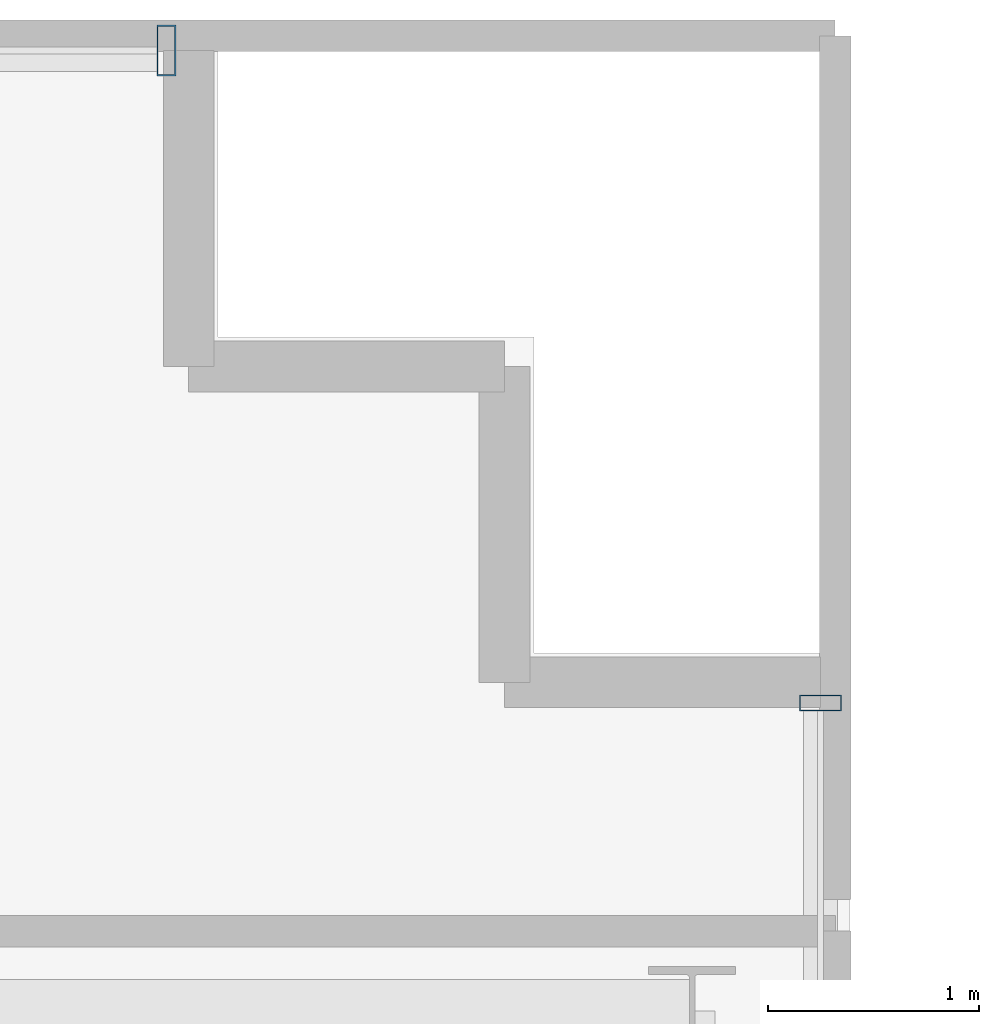
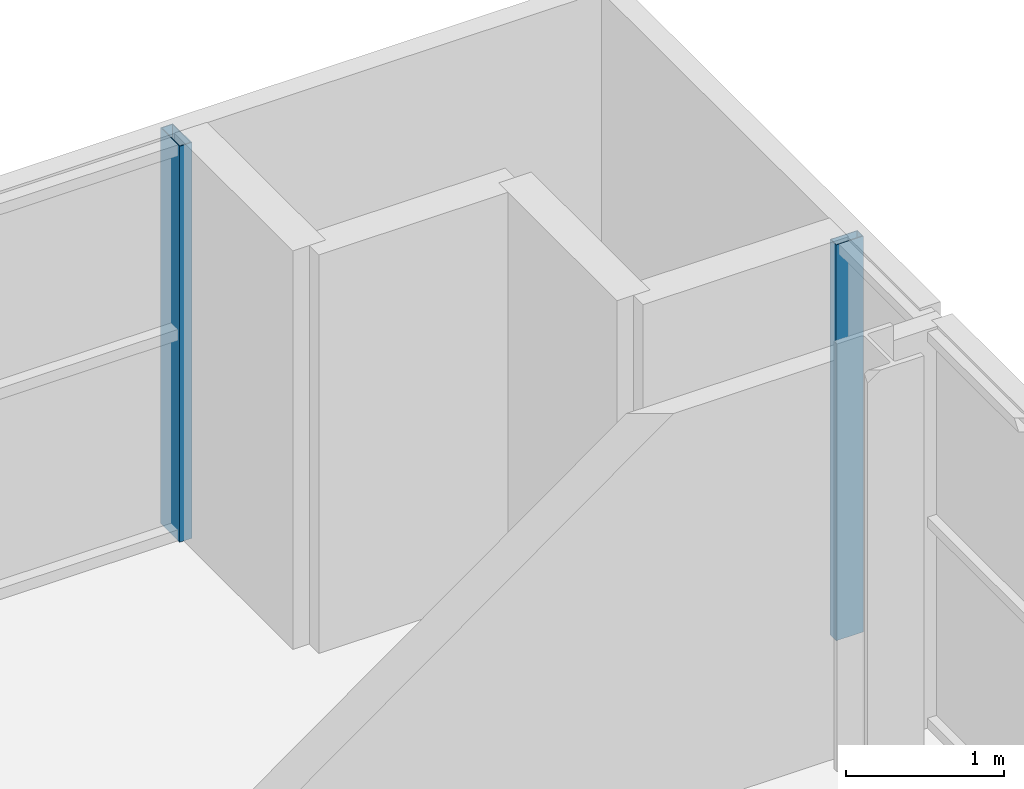
# One storey, part 17 of 26: 2 members, 2 elements without a shape of their own.
"""IFC4 building model written with IfcOpenShell, lengths in metres."""

import ifcopenshell
import ifcopenshell.guid

model = None  # the IFC model being written
_history = None  # IfcOwnerHistory: only IFC2X3 demands one
_inside = {}  # id of a spatial element -> (the spatial element, [elements in it])
_under = {}  # id of a project, library or spatial element -> (it, [spatial elements below it])
_declared = {}  # id of a project -> (the project, [libraries it declares])
_typed = {}  # id of a type object -> (the type object, [elements of that type])
_made_of = {}  # id of a material, layer set ... -> (it, [elements and type objects made of it])


def new_model(schema):
    """Start an empty IFC model of exactly this schema.

    Asked for "IFC4X3", IfcOpenShell would pick the latest addendum, in which some entities
    have other attributes; the version numbers below select the first issue.
    IFC2X3 requires an IfcOwnerHistory on every rooted entity: one is made here for all.
    """
    global model, _history
    if schema == "IFC4X3":
        model = ifcopenshell.file(schema_version=(4, 3, 0, 0))
    else:
        model = ifcopenshell.file(schema=schema)
    _inside.clear()
    _under.clear()
    _declared.clear()
    _typed.clear()
    _made_of.clear()
    _history = None
    if model.schema == "IFC2X3":
        org = make("IfcOrganization", Name="unknown")
        user = make(
            "IfcPersonAndOrganization",
            ThePerson=make("IfcPerson", FamilyName="unknown"),
            TheOrganization=org,
        )
        app = make(
            "IfcApplication",
            ApplicationDeveloper=org,
            Version="unknown",
            ApplicationFullName="unknown",
            ApplicationIdentifier="unknown",
        )
        _history = make(
            "IfcOwnerHistory",
            OwningUser=user,
            OwningApplication=app,
            ChangeAction="ADDED",
            CreationDate=0,
        )
    return model


def make(cls, **values):
    """One entity of the class cls with the attributes given. An attribute that is None is left unset."""
    return model.create_entity(
        cls, **{name: value for name, value in values.items() if value is not None}
    )


def rooted(cls, **values):
    """An entity with a GlobalId (a new one), such as an element, a storey or a relation."""
    return make(cls, GlobalId=ifcopenshell.guid.new(), OwnerHistory=_history, **values)


def si_unit(unit_type, name, prefix=None):
    """IfcSIUnit, for example si_unit("LENGTHUNIT", "METRE", prefix="MILLI")."""
    return make("IfcSIUnit", UnitType=unit_type, Prefix=prefix, Name=name)


def assignment(units):
    """IfcUnitAssignment: the units of a project."""
    return None if units is None else make("IfcUnitAssignment", Units=units)


def point(xyz):
    """IfcCartesianPoint."""
    return None if xyz is None else make("IfcCartesianPoint", Coordinates=xyz)


def direction(xyz):
    """IfcDirection."""
    return None if xyz is None else make("IfcDirection", DirectionRatios=xyz)


def frame(location, z_axis=None, x_axis=None):
    """IfcAxis2Placement3D, a coordinate frame: its origin and axes. An axis left out is left unset."""
    return make(
        "IfcAxis2Placement3D",
        Location=point(location),
        Axis=direction(z_axis),
        RefDirection=direction(x_axis),
    )


def frame_2d(location, x_axis=None):
    """IfcAxis2Placement2D, a coordinate frame in the plane: its origin and x axis."""
    return make(
        "IfcAxis2Placement2D", Location=point(location), RefDirection=direction(x_axis)
    )


def origin():
    """The frame at (0, 0, 0) with its axes left unset."""
    return frame((0.0, 0.0, 0.0))


def origin_2d():
    """The frame at (0, 0) in the plane with its x axis left unset."""
    return frame_2d((0.0, 0.0))


def place(relative_to, where):
    """IfcLocalPlacement: puts the frame where relative to a parent placement (None: the world)."""
    return make(
        "IfcLocalPlacement", PlacementRelTo=relative_to, RelativePlacement=where
    )


def context(
    kind, dimensions, precision=None, world=None, true_north=None, identifier=None
):
    """IfcGeometricRepresentationContext, for example the 3D "Model" context."""
    return make(
        "IfcGeometricRepresentationContext",
        ContextIdentifier=identifier,
        ContextType=kind,
        CoordinateSpaceDimension=dimensions,
        Precision=precision,
        WorldCoordinateSystem=world,
        TrueNorth=true_north,
    )


def subcontext(parent, identifier, kind, view, scale=None):
    """IfcGeometricRepresentationSubContext, for example "Body" below "Model"."""
    return make(
        "IfcGeometricRepresentationSubContext",
        ContextIdentifier=identifier,
        ContextType=kind,
        ParentContext=parent,
        TargetScale=scale,
        TargetView=view,
    )


def project(units=None, contexts=None):
    """IfcProject with its units and contexts."""
    return rooted(
        "IfcProject",
        Name="project",
        RepresentationContexts=contexts,
        UnitsInContext=assignment(units),
    )


def spatial(cls, under=None, at=None, **own):
    """A site, building, storey or space (cls), placed at a placement, below another one or the project."""
    s = rooted(cls, ObjectPlacement=at, **own)
    if under is not None:
        _under.setdefault(under.id(), (under, []))[1].append(s)
    return s


def profile(cls, at=None, kind="AREA", **sizes):
    """A parametric profile (cls). Its sizes go by their IFC names, for example OverallWidth=200.0."""
    return make(cls, ProfileType=kind, Position=at, **sizes)


def hollow_rectangle(**sizes):
    """IfcRectangleHollowProfileDef."""
    return profile("IfcRectangleHollowProfileDef", **sizes)


def extrude(swept, where, along, depth):
    """IfcExtrudedAreaSolid: the profile swept, set in the frame where, extruded along a direction by depth."""
    return make(
        "IfcExtrudedAreaSolid",
        SweptArea=swept,
        Position=where,
        ExtrudedDirection=direction(along),
        Depth=depth,
    )


def shape(context_of_items, identifier, shape_type, items):
    """IfcShapeRepresentation: the items that make up one representation, for example the "Body"."""
    return make(
        "IfcShapeRepresentation",
        ContextOfItems=context_of_items,
        RepresentationIdentifier=identifier,
        RepresentationType=shape_type,
        Items=items,
    )


def source(mapping_origin, context_of_items, identifier, shape_type, items):
    """IfcRepresentationMap: a shape defined once, which mapped items show again and again."""
    return make(
        "IfcRepresentationMap",
        MappingOrigin=mapping_origin,
        MappedRepresentation=shape(context_of_items, identifier, shape_type, items),
    )


def transform(
    local_origin,
    x_axis=None,
    y_axis=None,
    z_axis=None,
    scale=None,
    scale2=None,
    scale3=None,
    uniform=True,
):
    """IfcCartesianTransformationOperator3D, or its non-uniform kind. x_axis, y_axis, z_axis: its Axis1, 2, 3."""
    if uniform:
        return make(
            "IfcCartesianTransformationOperator3D",
            Axis1=direction(x_axis),
            Axis2=direction(y_axis),
            LocalOrigin=point(local_origin),
            Scale=scale,
            Axis3=direction(z_axis),
        )
    return make(
        "IfcCartesianTransformationOperator3DnonUniform",
        Axis1=direction(x_axis),
        Axis2=direction(y_axis),
        LocalOrigin=point(local_origin),
        Scale=scale,
        Axis3=direction(z_axis),
        Scale2=scale2,
        Scale3=scale3,
    )


def mapped(mapping_source, mapping_target):
    """IfcMappedItem: shows the shape of a source again, moved by a transform."""
    return make(
        "IfcMappedItem", MappingSource=mapping_source, MappingTarget=mapping_target
    )


def material(Name=None, Category=None):
    """IfcMaterial."""
    return make("IfcMaterial", Name=Name, Category=Category)


def layer(
    of_material, thickness, ventilated=None, Name=None, Category=None, Priority=None
):
    """IfcMaterialLayer: one layer of a wall or slab, of a material (None: an air gap)."""
    return make(
        "IfcMaterialLayer",
        Material=of_material,
        LayerThickness=thickness,
        IsVentilated=ventilated,
        Name=Name,
        Category=Category,
        Priority=Priority,
    )


def layer_set(layers, Name=None):
    """IfcMaterialLayerSet."""
    return make("IfcMaterialLayerSet", MaterialLayers=layers, LayerSetName=Name)


def material_profile(
    of_material, cross_section, Name=None, Category=None, Priority=None
):
    """IfcMaterialProfile: a cross section and its material."""
    return make(
        "IfcMaterialProfile",
        Name=Name,
        Material=of_material,
        Profile=cross_section,
        Priority=Priority,
        Category=Category,
    )


def profile_set(profiles, Name=None, composite=None):
    """IfcMaterialProfileSet."""
    return make(
        "IfcMaterialProfileSet",
        Name=Name,
        MaterialProfiles=profiles,
        CompositeProfile=composite,
    )


def made_of(thing, what):
    """Note that an element or type object is made of a material, layer set ...; save() writes the relation."""
    if what is not None:
        _made_of.setdefault(what.id(), (what, []))[1].append(thing)
    return thing


def type_object(cls, material=None, **own):
    """A type object (cls), such as IfcWallType, which elements share."""
    return made_of(rooted(cls, **own), material)


def element(
    cls,
    number,
    at=None,
    inside=None,
    cuts=None,
    type_object=None,
    material=None,
    context=None,
    identifier="Body",
    shape_type=None,
    held_by="IfcProductDefinitionShape",
    body=None,
    shapes=None,
    **own,
):
    """One element of the class cls, such as IfcWall. Its Tag is "e" and its number.

    at: its placement. inside: the storey or other place that contains it. cuts: it is an
    opening in that element (IfcRelVoidsElement). A single representation is given by context,
    identifier, shape_type and body (its items); several are given by shapes. held_by: the class
    of the entity that holds the representations. save() writes the other relations.
    """
    e = rooted(cls, Tag="e%d" % number, ObjectPlacement=at, **own)
    if body is not None:
        shapes = [shape(context, identifier, shape_type, body)]
    if shapes is not None:
        e.Representation = make(held_by, Representations=shapes)
    if inside is not None:
        _inside.setdefault(inside.id(), (inside, []))[1].append(e)
    if cuts is not None:
        rooted(
            "IfcRelVoidsElement", RelatingBuildingElement=cuts, RelatedOpeningElement=e
        )
    if type_object is not None:
        _typed.setdefault(type_object.id(), (type_object, []))[1].append(e)
    return made_of(e, material)


def aggregate(whole, parts):
    """IfcRelAggregates: a whole, such as a stair, and the parts it consists of."""
    return rooted("IfcRelAggregates", RelatingObject=whole, RelatedObjects=parts)


def save(model, path):
    """Write the relations noted so far, then the file.

    IfcRelAggregates (storeys below a building ...), IfcRelContainedInSpatialStructure (elements
    in a storey), IfcRelDefinesByType, IfcRelAssociatesMaterial and IfcRelDeclares: one each for
    every whole, place, type object, material and project.
    """
    for whole, parts in _under.values():
        aggregate(whole, parts)
    for where, things in _inside.values():
        rooted(
            "IfcRelContainedInSpatialStructure",
            RelatedElements=things,
            RelatingStructure=where,
        )
    for kind, things in _typed.values():
        rooted("IfcRelDefinesByType", RelatedObjects=things, RelatingType=kind)
    for what, things in _made_of.values():
        rooted("IfcRelAssociatesMaterial", RelatedObjects=things, RelatingMaterial=what)
    for by, libraries in _declared.values():
        rooted("IfcRelDeclares", RelatingContext=by, RelatedDefinitions=libraries)
    model.write(path)


model = new_model("IFC4")

# Units and contexts
model_context = context("Model", 3, precision=1e-05, world=origin(), true_north=direction((0.0, 1.0)))
body_context = subcontext(model_context, "Body", "Model", "MODEL_VIEW")
ifc_project = project(units=[si_unit("LENGTHUNIT", "METRE"), si_unit("AREAUNIT", "SQUARE_METRE"), si_unit("VOLUMEUNIT", "CUBIC_METRE"), si_unit("PLANEANGLEUNIT", "RADIAN"), si_unit("MASSUNIT", "GRAM", prefix="KILO")], contexts=[model_context])

# Site, building, storey
site_placement = place(None, origin())
site = spatial("IfcSite", under=ifc_project, at=site_placement, CompositionType="ELEMENT")
building_placement = place(site_placement, origin())
building = spatial("IfcBuilding", under=site, at=building_placement, Name="Zarnakvel Exchange Tower", CompositionType="ELEMENT")
storey_placement = place(building_placement, frame((0.0, 0.0, 63.699951171875)))
storey = spatial("IfcBuildingStorey", under=building, at=storey_placement, Name="L17", CompositionType="ELEMENT", Elevation=63.699951171875)

# Curtain wall, member
ifc_material = material(Name="Architectural Bronze Anodised Aluminium", Category="aluminium")
ifc_layer_1 = layer(ifc_material, 0.239990234375)
ifc_layer_set_1 = layer_set([ifc_layer_1], Name="Architectural Bronze Anodised Aluminium")
curtain_wall_type_1 = type_object("IfcCurtainWallType", Name="CW-02", PredefinedType="NOTDEFINED", material=ifc_layer_set_1)
curtain_wall_1_placement = place(storey_placement, origin())
curtain_wall_1 = element("IfcCurtainWall", 1, at=curtain_wall_1_placement, inside=storey, type_object=curtain_wall_type_1, Name="L17 Curtain Wall CW-L17-N1 (CW-02)", PredefinedType="NOTDEFINED")
ifc_material_profile_1 = material_profile(ifc_material, hollow_rectangle(XDim=0.239990234375, YDim=0.090087890625, WallThickness=0.006103515625, at=origin_2d()))
ifc_profile_set_1 = profile_set([ifc_material_profile_1], Name="Architectural Bronze Anodised Aluminium")
member_type_1 = type_object("IfcMemberType", Name="CWM-02", PredefinedType="MULLION", material=ifc_profile_set_1)
shared_shape_1 = source(origin(), body_context, "Body", "SweptSolid", [
    extrude(hollow_rectangle(XDim=0.239990234375, YDim=0.090087890625, WallThickness=0.006103515625, at=origin_2d()), origin(), (0.0, 0.0, 1.0), 3.054931640625),
])
member_1_placement = place(storey_placement, frame((29.35498046875, 18.06005859375, 0.0), z_axis=(0.0, 0.0, 1.0), x_axis=(0.0, 1.0, 0.0)))
member_1 = element("IfcMember", 2, at=member_1_placement, type_object=member_type_1, Name="CW-02 mullion 8", PredefinedType="MULLION", context=body_context, shape_type="MappedRepresentation", body=[
    mapped(shared_shape_1, transform((0.0, 0.0, 0.0), x_axis=(1.0, 0.0, 0.0), y_axis=(0.0, 1.0, 0.0), z_axis=(0.0, 0.0, 1.0), scale=1.0)),
])
aggregate(curtain_wall_1, [member_1])

ifc_layer_2 = layer(ifc_material, 0.199951171875)
ifc_layer_set_2 = layer_set([ifc_layer_2], Name="Architectural Bronze Anodised Aluminium")
curtain_wall_type_2 = type_object("IfcCurtainWallType", Name="CW-04", PredefinedType="NOTDEFINED", material=ifc_layer_set_2)
curtain_wall_2_placement = place(storey_placement, origin())
curtain_wall_2 = element("IfcCurtainWall", 3, at=curtain_wall_2_placement, inside=storey, type_object=curtain_wall_type_2, Name="L17 Curtain Wall CW-L17-EN (CW-04)", PredefinedType="NOTDEFINED")
ifc_material_profile_2 = material_profile(ifc_material, hollow_rectangle(XDim=0.199951171875, YDim=0.074951171875, WallThickness=0.0048828125, at=origin_2d()))
ifc_profile_set_2 = profile_set([ifc_material_profile_2], Name="Architectural Bronze Anodised Aluminium")
member_type_2 = type_object("IfcMemberType", Name="CWM-04", PredefinedType="MULLION", material=ifc_profile_set_2)
shared_shape_2 = source(origin(), body_context, "Body", "SweptSolid", [
    extrude(hollow_rectangle(XDim=0.199951171875, YDim=0.074951171875, WallThickness=0.0048828125, at=origin_2d()), origin(), (0.0, 0.0, 1.0), 3.054931640625),
])
member_2_placement = place(storey_placement, frame((32.4599609375, 14.96240234375, 0.0), z_axis=(0.0, 0.0, 1.0), x_axis=(-1.0, 0.0, 0.0)))
member_2 = element("IfcMember", 4, at=member_2_placement, type_object=member_type_2, Name="CW-04 mullion 3", PredefinedType="MULLION", context=body_context, shape_type="MappedRepresentation", body=[
    mapped(shared_shape_2, transform((0.0, 0.0, 0.0), x_axis=(1.0, 0.0, 0.0), y_axis=(0.0, 1.0, 0.0), z_axis=(0.0, 0.0, 1.0), scale=1.0)),
])
aggregate(curtain_wall_2, [member_2])

save(model, "model.ifc")
